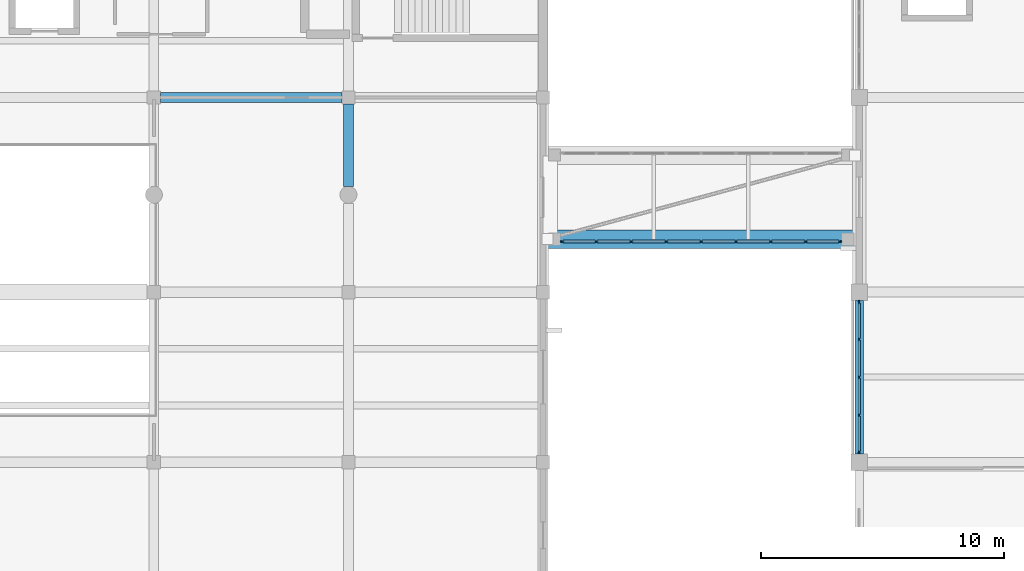
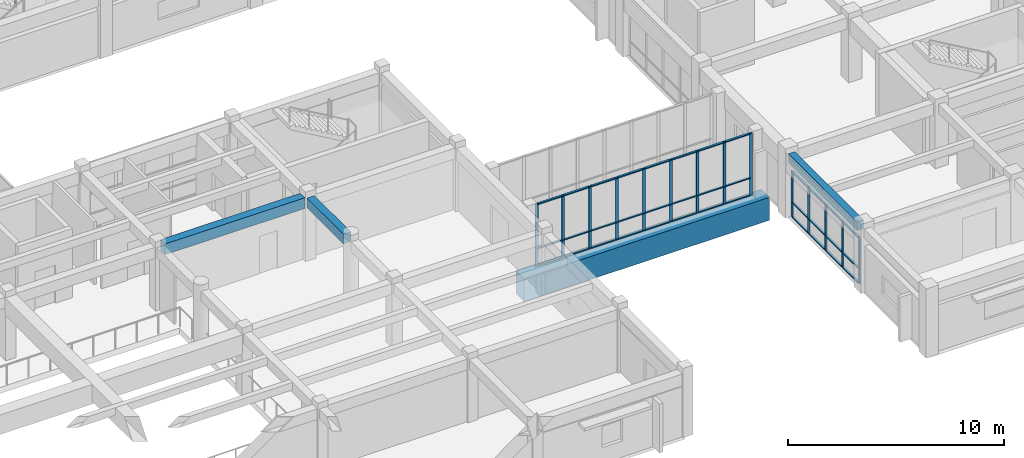
# One storey, part 20 of 66: 50 members, 4 beams, 2 elements without a shape of their own.
"""IFC4 building model written with IfcOpenShell, lengths in metres."""

from ifc_helpers import new_model, si_unit, direction, frame, origin, origin_2d, place, context, subcontext, project, spatial, rectangle, extrude, material, layer, layer_set, material_profile, profile_set, type_object, element, aggregate, save


model = new_model("IFC4")

# Units and contexts
model_context = context("Model", 3, precision=1e-05, world=origin(), true_north=direction((0.0, 1.0)))
body_context = subcontext(model_context, "Body", "Model", "MODEL_VIEW")
ifc_project = project(units=[si_unit("LENGTHUNIT", "METRE"), si_unit("AREAUNIT", "SQUARE_METRE"), si_unit("VOLUMEUNIT", "CUBIC_METRE"), si_unit("PLANEANGLEUNIT", "RADIAN"), si_unit("MASSUNIT", "GRAM", prefix="KILO")], contexts=[model_context])

# Site, building, storey
site_placement = place(None, origin())
site = spatial("IfcSite", under=ifc_project, at=site_placement, CompositionType="ELEMENT")
building_placement = place(site_placement, origin())
building = spatial("IfcBuilding", under=site, at=building_placement, Name="Naurynzar Civic Courthouse", CompositionType="ELEMENT")
storey_placement = place(building_placement, frame((0.0, 0.0, 14.39990234375)))
storey = spatial("IfcBuildingStorey", under=building, at=storey_placement, Name="L04", CompositionType="ELEMENT", Elevation=14.39990234375)

# Beams
ifc_material_1 = material(Name="Concrete C40/50", Category="concrete")
ifc_material_profile_1 = material_profile(ifc_material_1, rectangle(XDim=0.35009765625, YDim=0.5, at=origin_2d()), Name="RCB 350x500")
ifc_profile_set_1 = profile_set([ifc_material_profile_1], Name="Concrete C40/50")
beam_type_1 = type_object("IfcBeamType", Name="BM-RC-350x500", PredefinedType="BEAM", material=ifc_profile_set_1)
beam_1_placement = place(storey_placement, frame((130.0, 10.33740234375, 3.330078125), z_axis=(0.0, 1.0, 0.0), x_axis=(-1.0, 0.0, 0.0)))
element("IfcBeam", 1, at=beam_1_placement, inside=storey, type_object=beam_type_1, Name="V5 girder Y-2550 L04", PredefinedType="BEAM", context=body_context, shape_type="SweptSolid", body=[
    extrude(rectangle(XDim=0.35009765625, YDim=0.5, at=origin_2d()), origin(), (0.0, 0.0, 1.0), 6.3251953125),
])
ifc_material_2 = material(Name="Concrete C40/50", Category="concrete")
ifc_material_profile_2 = material_profile(ifc_material_2, rectangle(XDim=0.39990234375, YDim=0.550048828125, at=origin_2d()), Name="RCB 400x550")
ifc_profile_set_2 = profile_set([ifc_material_profile_2], Name="Concrete C40/50")
beam_type_2 = type_object("IfcBeamType", Name="BM-RC-400x550", PredefinedType="BEAM", material=ifc_profile_set_2)
beam_2_placement = place(storey_placement, frame((109.0, 21.35009765625, 3.28515625), z_axis=(0.0, 1.0, 0.0), x_axis=(-1.0, 0.0, 0.0)))
element("IfcBeam", 2, at=beam_2_placement, inside=storey, type_object=beam_type_2, Name="V3 girder Y-1544 L04", PredefinedType="BEAM", context=body_context, shape_type="SweptSolid", body=[
    extrude(rectangle(XDim=0.39990234375, YDim=0.550048828125, at=origin_2d()), origin(), (0.0, 0.0, 1.0), 3.375),
])
ifc_material_3 = material(Name="Concrete C40/50", Category="concrete")
ifc_material_profile_3 = material_profile(ifc_material_3, rectangle(XDim=0.425048828125, YDim=0.60009765625, at=origin_2d()), Name="RCB 425x600")
ifc_profile_set_3 = profile_set([ifc_material_profile_3], Name="Concrete C40/50")
beam_type_3 = type_object("IfcBeamType", Name="BM-RC-425x600", PredefinedType="BEAM", material=ifc_profile_set_3)
beam_3_placement = place(storey_placement, frame((101.27490234375, 25.0, 3.260009765625), z_axis=(1.0, 0.0, 0.0), x_axis=(0.0, 1.0, 0.0)))
element("IfcBeam", 3, at=beam_3_placement, inside=storey, type_object=beam_type_3, Name="V3 beam X-1511 L04", PredefinedType="BEAM", context=body_context, shape_type="SweptSolid", body=[
    extrude(rectangle(XDim=0.425048828125, YDim=0.60009765625, at=origin_2d()), origin(), (0.0, 0.0, 1.0), 7.4501953125),
])
ifc_material_4 = material(Name="Concrete C40/50", Category="concrete")
ifc_material_profile_4 = material_profile(ifc_material_4, rectangle(XDim=0.75, YDim=1.300048828125, at=origin_2d()), Name="RCT 750x1300")
ifc_profile_set_4 = profile_set([ifc_material_profile_4], Name="Concrete C40/50")
beam_type_4 = type_object("IfcBeamType", Name="BM-TR-750x1300", PredefinedType="SPANDREL", material=ifc_profile_set_4)
beam_4_placement = place(storey_placement, frame((116.949951171875, 19.169921875, -0.889892578125), z_axis=(1.0, 0.0, 0.0), x_axis=(0.0, 1.0, 0.0)))
element("IfcBeam", 4, at=beam_4_placement, inside=storey, type_object=beam_type_4, Name="Transfer Girder TG-01", PredefinedType="SPANDREL", context=body_context, shape_type="SweptSolid", body=[
    extrude(rectangle(XDim=0.75, YDim=1.300048828125, at=origin_2d()), origin(), (0.0, 0.0, 1.0), 13.10009765625),
])

# Curtain wall, members
ifc_material_5 = material(Name="Aluminium 6063-T6", Category="aluminium")
ifc_layer_1 = layer(ifc_material_5, 0.179931640625)
ifc_layer_set_1 = layer_set([ifc_layer_1], Name="CW-UNIT-1500")
curtain_wall_type_1 = type_object("IfcCurtainWallType", Name="CW-UNIT-1500", PredefinedType="NOTDEFINED", material=ifc_layer_set_1)
curtain_wall_1_placement = place(storey_placement, origin())
curtain_wall_1 = element("IfcCurtainWall", 5, at=curtain_wall_1_placement, inside=storey, type_object=curtain_wall_type_1, Name="V5 unitised curtain wall 97 L04", PredefinedType="NOTDEFINED")
ifc_material_6 = material(Name="Aluminium 6063-T6", Category="aluminium")
ifc_material_profile_5 = material_profile(ifc_material_6, rectangle(XDim=0.06005859375, YDim=0.14990234375, at=origin_2d()), Name="ALU MULLION 60x150")
ifc_profile_set_5 = profile_set([ifc_material_profile_5], Name="Aluminium 6063-T6")
member_type_1 = type_object("IfcMemberType", Name="CWM-60x150", PredefinedType="MULLION", material=ifc_profile_set_5)
member_1_placement = place(storey_placement, frame((130.0, 10.41748046875, 0.0), z_axis=(0.0, 0.0, 1.0), x_axis=(-1.0, 0.0, 0.0)))
member_1 = element("IfcMember", 6, at=member_1_placement, type_object=member_type_1, Name="CW-01 mullion 1", PredefinedType="MULLION", context=body_context, shape_type="SweptSolid", body=[
    extrude(rectangle(XDim=0.06005859375, YDim=0.14990234375, at=origin_2d()), origin(), (0.0, 0.0, 1.0), 2.610107421875),
])
member_2_placement = place(storey_placement, frame((130.0, 11.94384765625, 0.0), z_axis=(0.0, 0.0, 1.0), x_axis=(-1.0, 0.0, 0.0)))
member_2 = element("IfcMember", 7, at=member_2_placement, type_object=member_type_1, Name="CW-01 mullion 2", PredefinedType="MULLION", context=body_context, shape_type="SweptSolid", body=[
    extrude(rectangle(XDim=0.06005859375, YDim=0.14990234375, at=origin_2d()), origin(), (0.0, 0.0, 1.0), 2.610107421875),
])
member_3_placement = place(storey_placement, frame((130.0, 13.5, 0.0), z_axis=(0.0, 0.0, 1.0), x_axis=(-1.0, 0.0, 0.0)))
member_3 = element("IfcMember", 8, at=member_3_placement, type_object=member_type_1, Name="CW-01 mullion 3", PredefinedType="MULLION", context=body_context, shape_type="SweptSolid", body=[
    extrude(rectangle(XDim=0.06005859375, YDim=0.14990234375, at=origin_2d()), origin(), (0.0, 0.0, 1.0), 2.610107421875),
])
member_4_placement = place(storey_placement, frame((130.0, 15.05615234375, 0.0), z_axis=(0.0, 0.0, 1.0), x_axis=(-1.0, 0.0, 0.0)))
member_4 = element("IfcMember", 9, at=member_4_placement, type_object=member_type_1, Name="CW-01 mullion 4", PredefinedType="MULLION", context=body_context, shape_type="SweptSolid", body=[
    extrude(rectangle(XDim=0.06005859375, YDim=0.14990234375, at=origin_2d()), origin(), (0.0, 0.0, 1.0), 2.610107421875),
])
member_5_placement = place(storey_placement, frame((130.0, 16.58251953125, 0.0), z_axis=(0.0, 0.0, 1.0), x_axis=(-1.0, 0.0, 0.0)))
member_5 = element("IfcMember", 10, at=member_5_placement, type_object=member_type_1, Name="CW-01 mullion 5", PredefinedType="MULLION", context=body_context, shape_type="SweptSolid", body=[
    extrude(rectangle(XDim=0.06005859375, YDim=0.14990234375, at=origin_2d()), origin(), (0.0, 0.0, 1.0), 2.610107421875),
])

ifc_material_7 = material(Name="Aluminium 6063-T6", Category="aluminium")
ifc_layer_2 = layer(ifc_material_7, 0.14990234375)
ifc_layer_set_2 = layer_set([ifc_layer_2], Name="CW-BRIDGE-1500")
curtain_wall_type_2 = type_object("IfcCurtainWallType", Name="CW-BRIDGE-1500", PredefinedType="USERDEFINED", material=ifc_layer_set_2)
curtain_wall_2_placement = place(storey_placement, origin())
curtain_wall_2 = element("IfcCurtainWall", 11, at=curtain_wall_2_placement, inside=storey, type_object=curtain_wall_type_2, Name="BR-E2 glazed bridge screen L04.1", ObjectType="GLAZED BRIDGE SCREEN", PredefinedType="USERDEFINED")
member_6_placement = place(storey_placement, frame((117.7900390625, 19.080078125, 0.0), z_axis=(0.0, 0.0, 1.0), x_axis=(0.0, 1.0, 0.0)))
member_6 = element("IfcMember", 12, at=member_6_placement, type_object=member_type_1, Name="CW-03 mullion 1", PredefinedType="MULLION", context=body_context, shape_type="SweptSolid", body=[
    extrude(rectangle(XDim=0.06005859375, YDim=0.14990234375, at=origin_2d()), origin(), (0.0, 0.0, 1.0), 3.52001953125),
])
member_7_placement = place(storey_placement, frame((119.195068359375, 19.080078125, 0.0), z_axis=(0.0, 0.0, 1.0), x_axis=(0.0, 1.0, 0.0)))
member_7 = element("IfcMember", 13, at=member_7_placement, type_object=member_type_1, Name="CW-03 mullion 2", PredefinedType="MULLION", context=body_context, shape_type="SweptSolid", body=[
    extrude(rectangle(XDim=0.06005859375, YDim=0.14990234375, at=origin_2d()), origin(), (0.0, 0.0, 1.0), 3.52001953125),
])
member_8_placement = place(storey_placement, frame((120.6298828125, 19.080078125, 0.0), z_axis=(0.0, 0.0, 1.0), x_axis=(0.0, 1.0, 0.0)))
member_8 = element("IfcMember", 14, at=member_8_placement, type_object=member_type_1, Name="CW-03 mullion 3", PredefinedType="MULLION", context=body_context, shape_type="SweptSolid", body=[
    extrude(rectangle(XDim=0.06005859375, YDim=0.14990234375, at=origin_2d()), origin(), (0.0, 0.0, 1.0), 3.52001953125),
])
member_9_placement = place(storey_placement, frame((122.06494140625, 19.080078125, 0.0), z_axis=(0.0, 0.0, 1.0), x_axis=(0.0, 1.0, 0.0)))
member_9 = element("IfcMember", 15, at=member_9_placement, type_object=member_type_1, Name="CW-03 mullion 4", PredefinedType="MULLION", context=body_context, shape_type="SweptSolid", body=[
    extrude(rectangle(XDim=0.06005859375, YDim=0.14990234375, at=origin_2d()), origin(), (0.0, 0.0, 1.0), 3.52001953125),
])
member_10_placement = place(storey_placement, frame((123.5, 19.080078125, 0.0), z_axis=(0.0, 0.0, 1.0), x_axis=(0.0, 1.0, 0.0)))
member_10 = element("IfcMember", 16, at=member_10_placement, type_object=member_type_1, Name="CW-03 mullion 5", PredefinedType="MULLION", context=body_context, shape_type="SweptSolid", body=[
    extrude(rectangle(XDim=0.06005859375, YDim=0.14990234375, at=origin_2d()), origin(), (0.0, 0.0, 1.0), 3.52001953125),
])
member_11_placement = place(storey_placement, frame((124.93505859375, 19.080078125, 0.0), z_axis=(0.0, 0.0, 1.0), x_axis=(0.0, 1.0, 0.0)))
member_11 = element("IfcMember", 17, at=member_11_placement, type_object=member_type_1, Name="CW-03 mullion 6", PredefinedType="MULLION", context=body_context, shape_type="SweptSolid", body=[
    extrude(rectangle(XDim=0.06005859375, YDim=0.14990234375, at=origin_2d()), origin(), (0.0, 0.0, 1.0), 3.52001953125),
])
member_12_placement = place(storey_placement, frame((126.3701171875, 19.080078125, 0.0), z_axis=(0.0, 0.0, 1.0), x_axis=(0.0, 1.0, 0.0)))
member_12 = element("IfcMember", 18, at=member_12_placement, type_object=member_type_1, Name="CW-03 mullion 7", PredefinedType="MULLION", context=body_context, shape_type="SweptSolid", body=[
    extrude(rectangle(XDim=0.06005859375, YDim=0.14990234375, at=origin_2d()), origin(), (0.0, 0.0, 1.0), 3.52001953125),
])
member_13_placement = place(storey_placement, frame((127.804931640625, 19.080078125, 0.0), z_axis=(0.0, 0.0, 1.0), x_axis=(0.0, 1.0, 0.0)))
member_13 = element("IfcMember", 19, at=member_13_placement, type_object=member_type_1, Name="CW-03 mullion 8", PredefinedType="MULLION", context=body_context, shape_type="SweptSolid", body=[
    extrude(rectangle(XDim=0.06005859375, YDim=0.14990234375, at=origin_2d()), origin(), (0.0, 0.0, 1.0), 3.52001953125),
])
member_14_placement = place(storey_placement, frame((129.2099609375, 19.080078125, 0.0), z_axis=(0.0, 0.0, 1.0), x_axis=(0.0, 1.0, 0.0)))
member_14 = element("IfcMember", 20, at=member_14_placement, type_object=member_type_1, Name="CW-03 mullion 9", PredefinedType="MULLION", context=body_context, shape_type="SweptSolid", body=[
    extrude(rectangle(XDim=0.06005859375, YDim=0.14990234375, at=origin_2d()), origin(), (0.0, 0.0, 1.0), 3.52001953125),
])

# Member
ifc_material_8 = material(Name="Aluminium 6063-T6", Category="aluminium")
ifc_material_profile_6 = material_profile(ifc_material_8, rectangle(XDim=0.110107421875, YDim=0.06005859375, at=origin_2d()), Name="ALU TRANSOM 60x110")
ifc_profile_set_6 = profile_set([ifc_material_profile_6], Name="Aluminium 6063-T6")
member_type_2 = type_object("IfcMemberType", Name="CWT-60x110", PredefinedType="USERDEFINED", material=ifc_profile_set_6)
member_15_placement = place(storey_placement, frame((130.0, 10.447509765625, 0.030029296875), z_axis=(0.0, 1.0, 0.0), x_axis=(-1.0, 0.0, 0.0)))
member_15 = element("IfcMember", 21, at=member_15_placement, type_object=member_type_2, Name="CW-01 transom 1.1", ObjectType="TRANSOM", PredefinedType="USERDEFINED", context=body_context, shape_type="SweptSolid", body=[
    extrude(rectangle(XDim=0.110107421875, YDim=0.06005859375, at=origin_2d()), origin(), (0.0, 0.0, 1.0), 1.46630859375),
])

member_16_placement = place(storey_placement, frame((130.0, 10.447509765625, 0.85009765625), z_axis=(0.0, 1.0, 0.0), x_axis=(-1.0, 0.0, 0.0)))
member_16 = element("IfcMember", 22, at=member_16_placement, type_object=member_type_2, Name="CW-01 transom 1.2", ObjectType="TRANSOM", PredefinedType="USERDEFINED", context=body_context, shape_type="SweptSolid", body=[
    extrude(rectangle(XDim=0.110107421875, YDim=0.06005859375, at=origin_2d()), origin(), (0.0, 0.0, 1.0), 1.46630859375),
])

member_17_placement = place(storey_placement, frame((130.0, 10.447509765625, 2.580078125), z_axis=(0.0, 1.0, 0.0), x_axis=(-1.0, 0.0, 0.0)))
member_17 = element("IfcMember", 23, at=member_17_placement, type_object=member_type_2, Name="CW-01 transom 1.3", ObjectType="TRANSOM", PredefinedType="USERDEFINED", context=body_context, shape_type="SweptSolid", body=[
    extrude(rectangle(XDim=0.110107421875, YDim=0.06005859375, at=origin_2d()), origin(), (0.0, 0.0, 1.0), 1.46630859375),
])

member_18_placement = place(storey_placement, frame((130.0, 11.9736328125, 0.030029296875), z_axis=(0.0, 1.0, 0.0), x_axis=(-1.0, 0.0, 0.0)))
member_18 = element("IfcMember", 24, at=member_18_placement, type_object=member_type_2, Name="CW-01 transom 2.1", ObjectType="TRANSOM", PredefinedType="USERDEFINED", context=body_context, shape_type="SweptSolid", body=[
    extrude(rectangle(XDim=0.110107421875, YDim=0.06005859375, at=origin_2d()), origin(), (0.0, 0.0, 1.0), 1.496337890625),
])

member_19_placement = place(storey_placement, frame((130.0, 11.9736328125, 0.85009765625), z_axis=(0.0, 1.0, 0.0), x_axis=(-1.0, 0.0, 0.0)))
member_19 = element("IfcMember", 25, at=member_19_placement, type_object=member_type_2, Name="CW-01 transom 2.2", ObjectType="TRANSOM", PredefinedType="USERDEFINED", context=body_context, shape_type="SweptSolid", body=[
    extrude(rectangle(XDim=0.110107421875, YDim=0.06005859375, at=origin_2d()), origin(), (0.0, 0.0, 1.0), 1.496337890625),
])

member_20_placement = place(storey_placement, frame((130.0, 11.9736328125, 2.580078125), z_axis=(0.0, 1.0, 0.0), x_axis=(-1.0, 0.0, 0.0)))
member_20 = element("IfcMember", 26, at=member_20_placement, type_object=member_type_2, Name="CW-01 transom 2.3", ObjectType="TRANSOM", PredefinedType="USERDEFINED", context=body_context, shape_type="SweptSolid", body=[
    extrude(rectangle(XDim=0.110107421875, YDim=0.06005859375, at=origin_2d()), origin(), (0.0, 0.0, 1.0), 1.496337890625),
])

member_21_placement = place(storey_placement, frame((130.0, 13.530029296875, 0.030029296875), z_axis=(0.0, 1.0, 0.0), x_axis=(-1.0, 0.0, 0.0)))
member_21 = element("IfcMember", 27, at=member_21_placement, type_object=member_type_2, Name="CW-01 transom 3.1", ObjectType="TRANSOM", PredefinedType="USERDEFINED", context=body_context, shape_type="SweptSolid", body=[
    extrude(rectangle(XDim=0.110107421875, YDim=0.06005859375, at=origin_2d()), origin(), (0.0, 0.0, 1.0), 1.496337890625),
])

member_22_placement = place(storey_placement, frame((130.0, 13.530029296875, 0.85009765625), z_axis=(0.0, 1.0, 0.0), x_axis=(-1.0, 0.0, 0.0)))
member_22 = element("IfcMember", 28, at=member_22_placement, type_object=member_type_2, Name="CW-01 transom 3.2", ObjectType="TRANSOM", PredefinedType="USERDEFINED", context=body_context, shape_type="SweptSolid", body=[
    extrude(rectangle(XDim=0.110107421875, YDim=0.06005859375, at=origin_2d()), origin(), (0.0, 0.0, 1.0), 1.496337890625),
])

member_23_placement = place(storey_placement, frame((130.0, 13.530029296875, 2.580078125), z_axis=(0.0, 1.0, 0.0), x_axis=(-1.0, 0.0, 0.0)))
member_23 = element("IfcMember", 29, at=member_23_placement, type_object=member_type_2, Name="CW-01 transom 3.3", ObjectType="TRANSOM", PredefinedType="USERDEFINED", context=body_context, shape_type="SweptSolid", body=[
    extrude(rectangle(XDim=0.110107421875, YDim=0.06005859375, at=origin_2d()), origin(), (0.0, 0.0, 1.0), 1.496337890625),
])

member_24_placement = place(storey_placement, frame((130.0, 15.086181640625, 0.030029296875), z_axis=(0.0, 1.0, 0.0), x_axis=(-1.0, 0.0, 0.0)))
member_24 = element("IfcMember", 30, at=member_24_placement, type_object=member_type_2, Name="CW-01 transom 4.1", ObjectType="TRANSOM", PredefinedType="USERDEFINED", context=body_context, shape_type="SweptSolid", body=[
    extrude(rectangle(XDim=0.110107421875, YDim=0.06005859375, at=origin_2d()), origin(), (0.0, 0.0, 1.0), 1.46630859375),
])

member_25_placement = place(storey_placement, frame((130.0, 15.086181640625, 0.85009765625), z_axis=(0.0, 1.0, 0.0), x_axis=(-1.0, 0.0, 0.0)))
member_25 = element("IfcMember", 31, at=member_25_placement, type_object=member_type_2, Name="CW-01 transom 4.2", ObjectType="TRANSOM", PredefinedType="USERDEFINED", context=body_context, shape_type="SweptSolid", body=[
    extrude(rectangle(XDim=0.110107421875, YDim=0.06005859375, at=origin_2d()), origin(), (0.0, 0.0, 1.0), 1.46630859375),
])

member_26_placement = place(storey_placement, frame((130.0, 15.086181640625, 2.580078125), z_axis=(0.0, 1.0, 0.0), x_axis=(-1.0, 0.0, 0.0)))
member_26 = element("IfcMember", 32, at=member_26_placement, type_object=member_type_2, Name="CW-01 transom 4.3", ObjectType="TRANSOM", PredefinedType="USERDEFINED", context=body_context, shape_type="SweptSolid", body=[
    extrude(rectangle(XDim=0.110107421875, YDim=0.06005859375, at=origin_2d()), origin(), (0.0, 0.0, 1.0), 1.46630859375),
])

aggregate(curtain_wall_1, [member_1, member_2, member_3, member_4, member_5, member_15, member_16, member_17, member_18, member_19, member_20, member_21, member_22, member_23, member_24, member_25, member_26])

member_27_placement = place(storey_placement, frame((117.820068359375, 19.080078125, 0.030029296875), z_axis=(1.0, 0.0, 0.0), x_axis=(0.0, 1.0, 0.0)))
member_27 = element("IfcMember", 33, at=member_27_placement, type_object=member_type_2, Name="CW-03 transom 1.1", ObjectType="TRANSOM", PredefinedType="USERDEFINED", context=body_context, shape_type="SweptSolid", body=[
    extrude(rectangle(XDim=0.110107421875, YDim=0.06005859375, at=origin_2d()), origin(), (0.0, 0.0, 1.0), 1.344970703125),
])

member_28_placement = place(storey_placement, frame((117.820068359375, 19.080078125, 1.0), z_axis=(1.0, 0.0, 0.0), x_axis=(0.0, 1.0, 0.0)))
member_28 = element("IfcMember", 34, at=member_28_placement, type_object=member_type_2, Name="CW-03 transom 1.2", ObjectType="TRANSOM", PredefinedType="USERDEFINED", context=body_context, shape_type="SweptSolid", body=[
    extrude(rectangle(XDim=0.110107421875, YDim=0.06005859375, at=origin_2d()), origin(), (0.0, 0.0, 1.0), 1.344970703125),
])

member_29_placement = place(storey_placement, frame((117.820068359375, 19.080078125, 3.489990234375), z_axis=(1.0, 0.0, 0.0), x_axis=(0.0, 1.0, 0.0)))
member_29 = element("IfcMember", 35, at=member_29_placement, type_object=member_type_2, Name="CW-03 transom 1.3", ObjectType="TRANSOM", PredefinedType="USERDEFINED", context=body_context, shape_type="SweptSolid", body=[
    extrude(rectangle(XDim=0.110107421875, YDim=0.06005859375, at=origin_2d()), origin(), (0.0, 0.0, 1.0), 1.344970703125),
])

member_30_placement = place(storey_placement, frame((119.22509765625, 19.080078125, 0.030029296875), z_axis=(1.0, 0.0, 0.0), x_axis=(0.0, 1.0, 0.0)))
member_30 = element("IfcMember", 36, at=member_30_placement, type_object=member_type_2, Name="CW-03 transom 2.1", ObjectType="TRANSOM", PredefinedType="USERDEFINED", context=body_context, shape_type="SweptSolid", body=[
    extrude(rectangle(XDim=0.110107421875, YDim=0.06005859375, at=origin_2d()), origin(), (0.0, 0.0, 1.0), 1.375),
])

member_31_placement = place(storey_placement, frame((119.22509765625, 19.080078125, 1.0), z_axis=(1.0, 0.0, 0.0), x_axis=(0.0, 1.0, 0.0)))
member_31 = element("IfcMember", 37, at=member_31_placement, type_object=member_type_2, Name="CW-03 transom 2.2", ObjectType="TRANSOM", PredefinedType="USERDEFINED", context=body_context, shape_type="SweptSolid", body=[
    extrude(rectangle(XDim=0.110107421875, YDim=0.06005859375, at=origin_2d()), origin(), (0.0, 0.0, 1.0), 1.375),
])

member_32_placement = place(storey_placement, frame((119.22509765625, 19.080078125, 3.489990234375), z_axis=(1.0, 0.0, 0.0), x_axis=(0.0, 1.0, 0.0)))
member_32 = element("IfcMember", 38, at=member_32_placement, type_object=member_type_2, Name="CW-03 transom 2.3", ObjectType="TRANSOM", PredefinedType="USERDEFINED", context=body_context, shape_type="SweptSolid", body=[
    extrude(rectangle(XDim=0.110107421875, YDim=0.06005859375, at=origin_2d()), origin(), (0.0, 0.0, 1.0), 1.375),
])

member_33_placement = place(storey_placement, frame((120.659912109375, 19.080078125, 0.030029296875), z_axis=(1.0, 0.0, 0.0), x_axis=(0.0, 1.0, 0.0)))
member_33 = element("IfcMember", 39, at=member_33_placement, type_object=member_type_2, Name="CW-03 transom 3.1", ObjectType="TRANSOM", PredefinedType="USERDEFINED", context=body_context, shape_type="SweptSolid", body=[
    extrude(rectangle(XDim=0.110107421875, YDim=0.06005859375, at=origin_2d()), origin(), (0.0, 0.0, 1.0), 1.375),
])

member_34_placement = place(storey_placement, frame((120.659912109375, 19.080078125, 1.0), z_axis=(1.0, 0.0, 0.0), x_axis=(0.0, 1.0, 0.0)))
member_34 = element("IfcMember", 40, at=member_34_placement, type_object=member_type_2, Name="CW-03 transom 3.2", ObjectType="TRANSOM", PredefinedType="USERDEFINED", context=body_context, shape_type="SweptSolid", body=[
    extrude(rectangle(XDim=0.110107421875, YDim=0.06005859375, at=origin_2d()), origin(), (0.0, 0.0, 1.0), 1.375),
])

member_35_placement = place(storey_placement, frame((120.659912109375, 19.080078125, 3.489990234375), z_axis=(1.0, 0.0, 0.0), x_axis=(0.0, 1.0, 0.0)))
member_35 = element("IfcMember", 41, at=member_35_placement, type_object=member_type_2, Name="CW-03 transom 3.3", ObjectType="TRANSOM", PredefinedType="USERDEFINED", context=body_context, shape_type="SweptSolid", body=[
    extrude(rectangle(XDim=0.110107421875, YDim=0.06005859375, at=origin_2d()), origin(), (0.0, 0.0, 1.0), 1.375),
])

member_36_placement = place(storey_placement, frame((122.094970703125, 19.080078125, 0.030029296875), z_axis=(1.0, 0.0, 0.0), x_axis=(0.0, 1.0, 0.0)))
member_36 = element("IfcMember", 42, at=member_36_placement, type_object=member_type_2, Name="CW-03 transom 4.1", ObjectType="TRANSOM", PredefinedType="USERDEFINED", context=body_context, shape_type="SweptSolid", body=[
    extrude(rectangle(XDim=0.110107421875, YDim=0.06005859375, at=origin_2d()), origin(), (0.0, 0.0, 1.0), 1.375),
])

member_37_placement = place(storey_placement, frame((122.094970703125, 19.080078125, 1.0), z_axis=(1.0, 0.0, 0.0), x_axis=(0.0, 1.0, 0.0)))
member_37 = element("IfcMember", 43, at=member_37_placement, type_object=member_type_2, Name="CW-03 transom 4.2", ObjectType="TRANSOM", PredefinedType="USERDEFINED", context=body_context, shape_type="SweptSolid", body=[
    extrude(rectangle(XDim=0.110107421875, YDim=0.06005859375, at=origin_2d()), origin(), (0.0, 0.0, 1.0), 1.375),
])

member_38_placement = place(storey_placement, frame((122.094970703125, 19.080078125, 3.489990234375), z_axis=(1.0, 0.0, 0.0), x_axis=(0.0, 1.0, 0.0)))
member_38 = element("IfcMember", 44, at=member_38_placement, type_object=member_type_2, Name="CW-03 transom 4.3", ObjectType="TRANSOM", PredefinedType="USERDEFINED", context=body_context, shape_type="SweptSolid", body=[
    extrude(rectangle(XDim=0.110107421875, YDim=0.06005859375, at=origin_2d()), origin(), (0.0, 0.0, 1.0), 1.375),
])

member_39_placement = place(storey_placement, frame((123.530029296875, 19.080078125, 0.030029296875), z_axis=(1.0, 0.0, 0.0), x_axis=(0.0, 1.0, 0.0)))
member_39 = element("IfcMember", 45, at=member_39_placement, type_object=member_type_2, Name="CW-03 transom 5.1", ObjectType="TRANSOM", PredefinedType="USERDEFINED", context=body_context, shape_type="SweptSolid", body=[
    extrude(rectangle(XDim=0.110107421875, YDim=0.06005859375, at=origin_2d()), origin(), (0.0, 0.0, 1.0), 1.375),
])

member_40_placement = place(storey_placement, frame((123.530029296875, 19.080078125, 1.0), z_axis=(1.0, 0.0, 0.0), x_axis=(0.0, 1.0, 0.0)))
member_40 = element("IfcMember", 46, at=member_40_placement, type_object=member_type_2, Name="CW-03 transom 5.2", ObjectType="TRANSOM", PredefinedType="USERDEFINED", context=body_context, shape_type="SweptSolid", body=[
    extrude(rectangle(XDim=0.110107421875, YDim=0.06005859375, at=origin_2d()), origin(), (0.0, 0.0, 1.0), 1.375),
])

member_41_placement = place(storey_placement, frame((123.530029296875, 19.080078125, 3.489990234375), z_axis=(1.0, 0.0, 0.0), x_axis=(0.0, 1.0, 0.0)))
member_41 = element("IfcMember", 47, at=member_41_placement, type_object=member_type_2, Name="CW-03 transom 5.3", ObjectType="TRANSOM", PredefinedType="USERDEFINED", context=body_context, shape_type="SweptSolid", body=[
    extrude(rectangle(XDim=0.110107421875, YDim=0.06005859375, at=origin_2d()), origin(), (0.0, 0.0, 1.0), 1.375),
])

member_42_placement = place(storey_placement, frame((124.965087890625, 19.080078125, 0.030029296875), z_axis=(1.0, 0.0, 0.0), x_axis=(0.0, 1.0, 0.0)))
member_42 = element("IfcMember", 48, at=member_42_placement, type_object=member_type_2, Name="CW-03 transom 6.1", ObjectType="TRANSOM", PredefinedType="USERDEFINED", context=body_context, shape_type="SweptSolid", body=[
    extrude(rectangle(XDim=0.110107421875, YDim=0.06005859375, at=origin_2d()), origin(), (0.0, 0.0, 1.0), 1.375),
])

member_43_placement = place(storey_placement, frame((124.965087890625, 19.080078125, 1.0), z_axis=(1.0, 0.0, 0.0), x_axis=(0.0, 1.0, 0.0)))
member_43 = element("IfcMember", 49, at=member_43_placement, type_object=member_type_2, Name="CW-03 transom 6.2", ObjectType="TRANSOM", PredefinedType="USERDEFINED", context=body_context, shape_type="SweptSolid", body=[
    extrude(rectangle(XDim=0.110107421875, YDim=0.06005859375, at=origin_2d()), origin(), (0.0, 0.0, 1.0), 1.375),
])

member_44_placement = place(storey_placement, frame((124.965087890625, 19.080078125, 3.489990234375), z_axis=(1.0, 0.0, 0.0), x_axis=(0.0, 1.0, 0.0)))
member_44 = element("IfcMember", 50, at=member_44_placement, type_object=member_type_2, Name="CW-03 transom 6.3", ObjectType="TRANSOM", PredefinedType="USERDEFINED", context=body_context, shape_type="SweptSolid", body=[
    extrude(rectangle(XDim=0.110107421875, YDim=0.06005859375, at=origin_2d()), origin(), (0.0, 0.0, 1.0), 1.375),
])

member_45_placement = place(storey_placement, frame((126.39990234375, 19.080078125, 0.030029296875), z_axis=(1.0, 0.0, 0.0), x_axis=(0.0, 1.0, 0.0)))
member_45 = element("IfcMember", 51, at=member_45_placement, type_object=member_type_2, Name="CW-03 transom 7.1", ObjectType="TRANSOM", PredefinedType="USERDEFINED", context=body_context, shape_type="SweptSolid", body=[
    extrude(rectangle(XDim=0.110107421875, YDim=0.06005859375, at=origin_2d()), origin(), (0.0, 0.0, 1.0), 1.375),
])

member_46_placement = place(storey_placement, frame((126.39990234375, 19.080078125, 1.0), z_axis=(1.0, 0.0, 0.0), x_axis=(0.0, 1.0, 0.0)))
member_46 = element("IfcMember", 52, at=member_46_placement, type_object=member_type_2, Name="CW-03 transom 7.2", ObjectType="TRANSOM", PredefinedType="USERDEFINED", context=body_context, shape_type="SweptSolid", body=[
    extrude(rectangle(XDim=0.110107421875, YDim=0.06005859375, at=origin_2d()), origin(), (0.0, 0.0, 1.0), 1.375),
])

member_47_placement = place(storey_placement, frame((126.39990234375, 19.080078125, 3.489990234375), z_axis=(1.0, 0.0, 0.0), x_axis=(0.0, 1.0, 0.0)))
member_47 = element("IfcMember", 53, at=member_47_placement, type_object=member_type_2, Name="CW-03 transom 7.3", ObjectType="TRANSOM", PredefinedType="USERDEFINED", context=body_context, shape_type="SweptSolid", body=[
    extrude(rectangle(XDim=0.110107421875, YDim=0.06005859375, at=origin_2d()), origin(), (0.0, 0.0, 1.0), 1.375),
])

member_48_placement = place(storey_placement, frame((127.8349609375, 19.080078125, 0.030029296875), z_axis=(1.0, 0.0, 0.0), x_axis=(0.0, 1.0, 0.0)))
member_48 = element("IfcMember", 54, at=member_48_placement, type_object=member_type_2, Name="CW-03 transom 8.1", ObjectType="TRANSOM", PredefinedType="USERDEFINED", context=body_context, shape_type="SweptSolid", body=[
    extrude(rectangle(XDim=0.110107421875, YDim=0.06005859375, at=origin_2d()), origin(), (0.0, 0.0, 1.0), 1.344970703125),
])

member_49_placement = place(storey_placement, frame((127.8349609375, 19.080078125, 1.0), z_axis=(1.0, 0.0, 0.0), x_axis=(0.0, 1.0, 0.0)))
member_49 = element("IfcMember", 55, at=member_49_placement, type_object=member_type_2, Name="CW-03 transom 8.2", ObjectType="TRANSOM", PredefinedType="USERDEFINED", context=body_context, shape_type="SweptSolid", body=[
    extrude(rectangle(XDim=0.110107421875, YDim=0.06005859375, at=origin_2d()), origin(), (0.0, 0.0, 1.0), 1.344970703125),
])

member_50_placement = place(storey_placement, frame((127.8349609375, 19.080078125, 3.489990234375), z_axis=(1.0, 0.0, 0.0), x_axis=(0.0, 1.0, 0.0)))
member_50 = element("IfcMember", 56, at=member_50_placement, type_object=member_type_2, Name="CW-03 transom 8.3", ObjectType="TRANSOM", PredefinedType="USERDEFINED", context=body_context, shape_type="SweptSolid", body=[
    extrude(rectangle(XDim=0.110107421875, YDim=0.06005859375, at=origin_2d()), origin(), (0.0, 0.0, 1.0), 1.344970703125),
])

aggregate(curtain_wall_2, [member_6, member_7, member_8, member_9, member_10, member_11, member_12, member_13, member_14, member_27, member_28, member_29, member_30, member_31, member_32, member_33, member_34, member_35, member_36, member_37, member_38, member_39, member_40, member_41, member_42, member_43, member_44, member_45, member_46, member_47, member_48, member_49, member_50])

save(model, "model.ifc")
